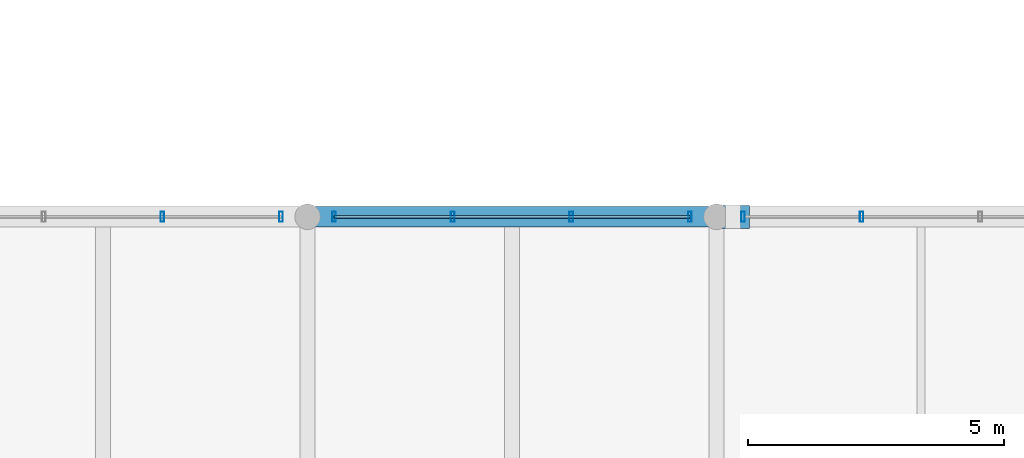
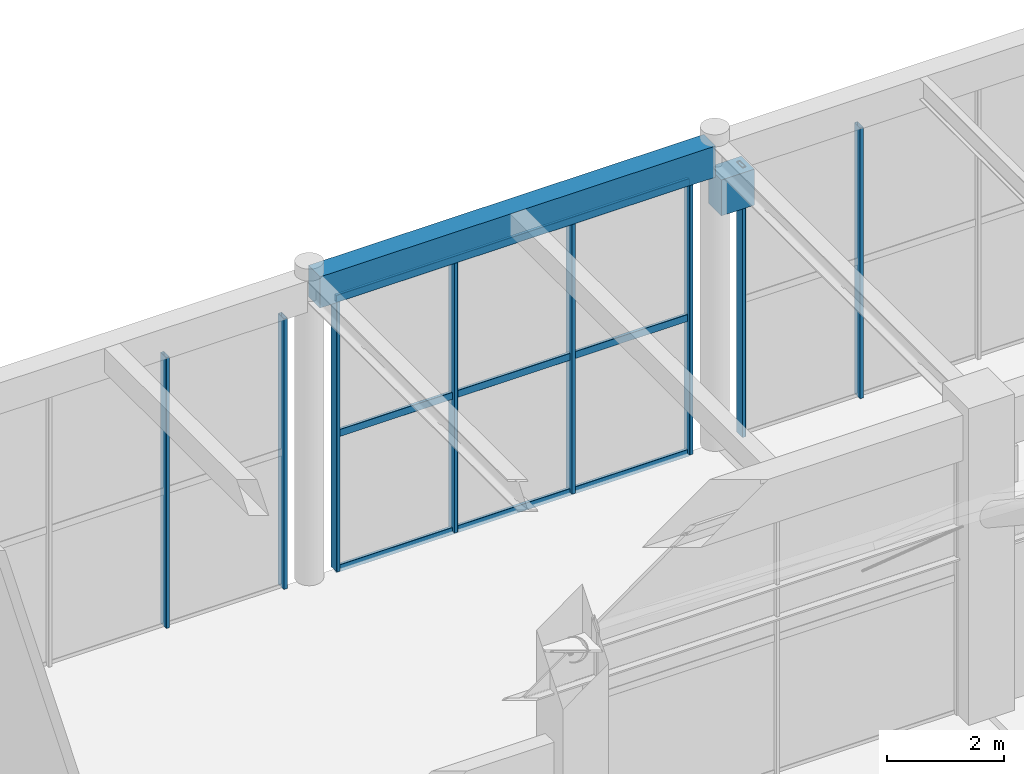
# One storey, part 69 of 163: 11 members, 2 beams, 3 elements without a shape of their own.
"""IFC4 building model written with IfcOpenShell, lengths in metres."""

from ifc_helpers import new_model, si_unit, direction, frame, origin, origin_2d, place, context, subcontext, project, spatial, rectangle, hollow_rectangle, extrude, material, material_profile, profile_set, type_object, element, aggregate, save


model = new_model("IFC4")

# Units and contexts
model_context = context("Model", 3, precision=1e-05, world=origin(), true_north=direction((0.0, 1.0)))
body_context = subcontext(model_context, "Body", "Model", "MODEL_VIEW")
ifc_project = project(units=[si_unit("LENGTHUNIT", "METRE"), si_unit("AREAUNIT", "SQUARE_METRE"), si_unit("VOLUMEUNIT", "CUBIC_METRE"), si_unit("PLANEANGLEUNIT", "RADIAN"), si_unit("MASSUNIT", "GRAM", prefix="KILO")], contexts=[model_context])

# Site, building, storey
site_placement = place(None, origin())
site = spatial("IfcSite", under=ifc_project, at=site_placement, CompositionType="ELEMENT")
building_placement = place(site_placement, origin())
building = spatial("IfcBuilding", under=site, at=building_placement, Name="Varnabhumi Central Station", CompositionType="ELEMENT")
storey_placement = place(building_placement, frame((0.0, 0.0, 9.60009765625)))
storey = spatial("IfcBuildingStorey", under=building, at=storey_placement, Name="L02", CompositionType="ELEMENT", Elevation=9.60009765625)

# Beams
ifc_material_1 = material(Name="Concrete M40", Category="concrete")
ifc_material_profile_1 = material_profile(ifc_material_1, rectangle(XDim=0.39990234375, YDim=0.64990234375, at=origin_2d()), Name="Concrete M40", Category="concrete")
ifc_profile_set_1 = profile_set([ifc_material_profile_1], Name="Concrete M40")
beam_type_1 = type_object("IfcBeamType", Name="BM-RC-400x650", PredefinedType="BEAM", material=ifc_profile_set_1)
beam_1_placement = place(storey_placement, frame((56.10009765625, 89.0, 6.02490234375), z_axis=(1.0, 0.0, 0.0), x_axis=(0.0, 1.0, 0.0)))
element("IfcBeam", 1, at=beam_1_placement, inside=storey, type_object=beam_type_1, Name="Beam L02-L:8-9", PredefinedType="BEAM", context=body_context, shape_type="SweptSolid", body=[
    extrude(rectangle(XDim=0.39990234375, YDim=0.64990234375, at=origin_2d()), origin(), (0.0, 0.0, 1.0), 7.7998046875),
])
ifc_material_profile_2 = material_profile(ifc_material_1, rectangle(XDim=0.449951171875, YDim=0.75, at=origin_2d()), Name="Concrete M40", Category="concrete")
ifc_profile_set_2 = profile_set([ifc_material_profile_2], Name="Concrete M40")
beam_type_2 = type_object("IfcBeamType", Name="BM-RC-450x750", PredefinedType="BEAM", material=ifc_profile_set_2)
beam_2_placement = place(storey_placement, frame((64.0, 89.0, 5.244873046875), z_axis=(1.0, 0.0, 0.0), x_axis=(0.0, 1.0, 0.0)))
element("IfcBeam", 2, at=beam_2_placement, inside=storey, type_object=beam_type_2, Name="Movement Joint 650mm Corbel Seat L02-L-9", PredefinedType="BEAM", context=body_context, shape_type="SweptSolid", body=[
    extrude(rectangle(XDim=0.449951171875, YDim=0.75, at=origin_2d()), origin(), (0.0, 0.0, 1.0), 0.64990234375),
])

# Curtain wall, members
ifc_material_2 = material(Name="Anodised aluminium 6063-T6", Category="aluminium")
curtain_wall_type = type_object("IfcCurtainWallType", Name="CW-PATIO-LOGGIA-L2", PredefinedType="NOTDEFINED", material=ifc_material_2)
curtain_wall_1_placement = place(storey_placement, origin())
curtain_wall_1 = element("IfcCurtainWall", 3, at=curtain_wall_1_placement, inside=storey, type_object=curtain_wall_type, Name="Curtain Wall CW-NP2S1", PredefinedType="NOTDEFINED")
ifc_material_profile_3 = material_profile(ifc_material_2, hollow_rectangle(XDim=0.070068359375, YDim=0.199951171875, WallThickness=0.00439453125, InnerFilletRadius=0.00146484375, OuterFilletRadius=0.006103515625, at=origin_2d()), Name="Anodised aluminium 6063-T6", Category="aluminium")
ifc_profile_set_3 = profile_set([ifc_material_profile_3], Name="Anodised aluminium 6063-T6")
member_type_1 = type_object("IfcMemberType", Name="CW-MUL-200", PredefinedType="MULLION", material=ifc_profile_set_3)
member_1_placement = place(storey_placement, frame((53.159912109375, 89.0, 0.0), z_axis=(0.0, 0.0, 1.0), x_axis=(1.0, 0.0, 0.0)))
member_1 = element("IfcMember", 4, at=member_1_placement, type_object=member_type_1, Name="Curtain Wall Mullion CW-NP2S1-M3", PredefinedType="MULLION", context=body_context, shape_type="SweptSolid", body=[
    extrude(hollow_rectangle(XDim=0.070068359375, YDim=0.199951171875, WallThickness=0.00439453125, InnerFilletRadius=0.00146484375, OuterFilletRadius=0.006103515625, at=origin_2d()), origin(), (0.0, 0.0, 1.0), 5.639892578125),
])
member_2_placement = place(storey_placement, frame((55.47998046875, 89.0, 0.0), z_axis=(0.0, 0.0, 1.0), x_axis=(1.0, 0.0, 0.0)))
member_2 = element("IfcMember", 5, at=member_2_placement, type_object=member_type_1, Name="Curtain Wall Mullion CW-NP2S1-M4", PredefinedType="MULLION", context=body_context, shape_type="SweptSolid", body=[
    extrude(hollow_rectangle(XDim=0.070068359375, YDim=0.199951171875, WallThickness=0.00439453125, InnerFilletRadius=0.00146484375, OuterFilletRadius=0.006103515625, at=origin_2d()), origin(), (0.0, 0.0, 1.0), 5.639892578125),
])
aggregate(curtain_wall_1, [member_1, member_2])

curtain_wall_2_placement = place(storey_placement, origin())
curtain_wall_2 = element("IfcCurtainWall", 6, at=curtain_wall_2_placement, inside=storey, type_object=curtain_wall_type, Name="Curtain Wall CW-NP2S2", PredefinedType="NOTDEFINED")
member_3_placement = place(storey_placement, frame((56.52001953125, 89.0, 0.0), z_axis=(0.0, 0.0, 1.0), x_axis=(1.0, 0.0, 0.0)))
member_3 = element("IfcMember", 7, at=member_3_placement, type_object=member_type_1, Name="Curtain Wall Mullion CW-NP2S2-M1", PredefinedType="MULLION", context=body_context, shape_type="SweptSolid", body=[
    extrude(hollow_rectangle(XDim=0.070068359375, YDim=0.199951171875, WallThickness=0.00439453125, InnerFilletRadius=0.00146484375, OuterFilletRadius=0.006103515625, at=origin_2d()), origin(), (0.0, 0.0, 1.0), 5.639892578125),
])
member_4_placement = place(storey_placement, frame((58.840087890625, 89.0, 0.0), z_axis=(0.0, 0.0, 1.0), x_axis=(1.0, 0.0, 0.0)))
member_4 = element("IfcMember", 8, at=member_4_placement, type_object=member_type_1, Name="Curtain Wall Mullion CW-NP2S2-M2", PredefinedType="MULLION", context=body_context, shape_type="SweptSolid", body=[
    extrude(hollow_rectangle(XDim=0.070068359375, YDim=0.199951171875, WallThickness=0.00439453125, InnerFilletRadius=0.00146484375, OuterFilletRadius=0.006103515625, at=origin_2d()), origin(), (0.0, 0.0, 1.0), 5.639892578125),
])
member_5_placement = place(storey_placement, frame((61.159912109375, 89.0, 0.0), z_axis=(0.0, 0.0, 1.0), x_axis=(1.0, 0.0, 0.0)))
member_5 = element("IfcMember", 9, at=member_5_placement, type_object=member_type_1, Name="Curtain Wall Mullion CW-NP2S2-M3", PredefinedType="MULLION", context=body_context, shape_type="SweptSolid", body=[
    extrude(hollow_rectangle(XDim=0.070068359375, YDim=0.199951171875, WallThickness=0.00439453125, InnerFilletRadius=0.00146484375, OuterFilletRadius=0.006103515625, at=origin_2d()), origin(), (0.0, 0.0, 1.0), 5.639892578125),
])
member_6_placement = place(storey_placement, frame((63.47998046875, 89.0, 0.0), z_axis=(0.0, 0.0, 1.0), x_axis=(1.0, 0.0, 0.0)))
member_6 = element("IfcMember", 10, at=member_6_placement, type_object=member_type_1, Name="Curtain Wall Mullion CW-NP2S2-M4", PredefinedType="MULLION", context=body_context, shape_type="SweptSolid", body=[
    extrude(hollow_rectangle(XDim=0.070068359375, YDim=0.199951171875, WallThickness=0.00439453125, InnerFilletRadius=0.00146484375, OuterFilletRadius=0.006103515625, at=origin_2d()), origin(), (0.0, 0.0, 1.0), 5.639892578125),
])

curtain_wall_3_placement = place(storey_placement, origin())
curtain_wall_3 = element("IfcCurtainWall", 11, at=curtain_wall_3_placement, inside=storey, type_object=curtain_wall_type, Name="Curtain Wall CW-NP2S3", PredefinedType="NOTDEFINED")
member_7_placement = place(storey_placement, frame((64.52001953125, 89.0, 0.0), z_axis=(0.0, 0.0, 1.0), x_axis=(1.0, 0.0, 0.0)))
member_7 = element("IfcMember", 12, at=member_7_placement, type_object=member_type_1, Name="Curtain Wall Mullion CW-NP2S3-M1", PredefinedType="MULLION", context=body_context, shape_type="SweptSolid", body=[
    extrude(hollow_rectangle(XDim=0.070068359375, YDim=0.199951171875, WallThickness=0.00439453125, InnerFilletRadius=0.00146484375, OuterFilletRadius=0.006103515625, at=origin_2d()), origin(), (0.0, 0.0, 1.0), 5.639892578125),
])
member_8_placement = place(storey_placement, frame((66.840087890625, 89.0, 0.0), z_axis=(0.0, 0.0, 1.0), x_axis=(1.0, 0.0, 0.0)))
member_8 = element("IfcMember", 13, at=member_8_placement, type_object=member_type_1, Name="Curtain Wall Mullion CW-NP2S3-M2", PredefinedType="MULLION", context=body_context, shape_type="SweptSolid", body=[
    extrude(hollow_rectangle(XDim=0.070068359375, YDim=0.199951171875, WallThickness=0.00439453125, InnerFilletRadius=0.00146484375, OuterFilletRadius=0.006103515625, at=origin_2d()), origin(), (0.0, 0.0, 1.0), 5.639892578125),
])
aggregate(curtain_wall_3, [member_7, member_8])

# Member
ifc_material_profile_4 = material_profile(ifc_material_2, hollow_rectangle(XDim=0.06005859375, YDim=0.14990234375, WallThickness=0.00390625, InnerFilletRadius=0.001953125, OuterFilletRadius=0.006103515625, at=origin_2d()), Name="Anodised aluminium 6063-T6", Category="aluminium")
ifc_profile_set_4 = profile_set([ifc_material_profile_4], Name="Anodised aluminium 6063-T6")
member_type_2 = type_object("IfcMemberType", Name="CW-TR-150", PredefinedType="USERDEFINED", material=ifc_profile_set_4)
member_9_placement = place(storey_placement, frame((56.52001953125, 89.0, 0.0), z_axis=(1.0, 0.0, 0.0), x_axis=(0.0, 1.0, 0.0)))
member_9 = element("IfcMember", 14, at=member_9_placement, type_object=member_type_2, Name="Curtain Wall Transom CW-NP2S2-T1", ObjectType="TRANSOM", PredefinedType="USERDEFINED", context=body_context, shape_type="SweptSolid", body=[
    extrude(hollow_rectangle(XDim=0.06005859375, YDim=0.14990234375, WallThickness=0.00390625, InnerFilletRadius=0.001953125, OuterFilletRadius=0.006103515625, at=origin_2d()), origin(), (0.0, 0.0, 1.0), 6.9599609375),
])

member_10_placement = place(storey_placement, frame((56.52001953125, 89.0, 2.81982421875), z_axis=(1.0, 0.0, 0.0), x_axis=(0.0, 1.0, 0.0)))
member_10 = element("IfcMember", 15, at=member_10_placement, type_object=member_type_2, Name="Curtain Wall Transom CW-NP2S2-T2", ObjectType="TRANSOM", PredefinedType="USERDEFINED", context=body_context, shape_type="SweptSolid", body=[
    extrude(hollow_rectangle(XDim=0.06005859375, YDim=0.14990234375, WallThickness=0.00390625, InnerFilletRadius=0.001953125, OuterFilletRadius=0.006103515625, at=origin_2d()), origin(), (0.0, 0.0, 1.0), 6.9599609375),
])

member_11_placement = place(storey_placement, frame((56.52001953125, 89.0, 5.639892578125), z_axis=(1.0, 0.0, 0.0), x_axis=(0.0, 1.0, 0.0)))
member_11 = element("IfcMember", 16, at=member_11_placement, type_object=member_type_2, Name="Curtain Wall Transom CW-NP2S2-T3", ObjectType="TRANSOM", PredefinedType="USERDEFINED", context=body_context, shape_type="SweptSolid", body=[
    extrude(hollow_rectangle(XDim=0.06005859375, YDim=0.14990234375, WallThickness=0.00390625, InnerFilletRadius=0.001953125, OuterFilletRadius=0.006103515625, at=origin_2d()), origin(), (0.0, 0.0, 1.0), 6.9599609375),
])

aggregate(curtain_wall_2, [member_3, member_4, member_5, member_6, member_9, member_10, member_11])

save(model, "model.ifc")
